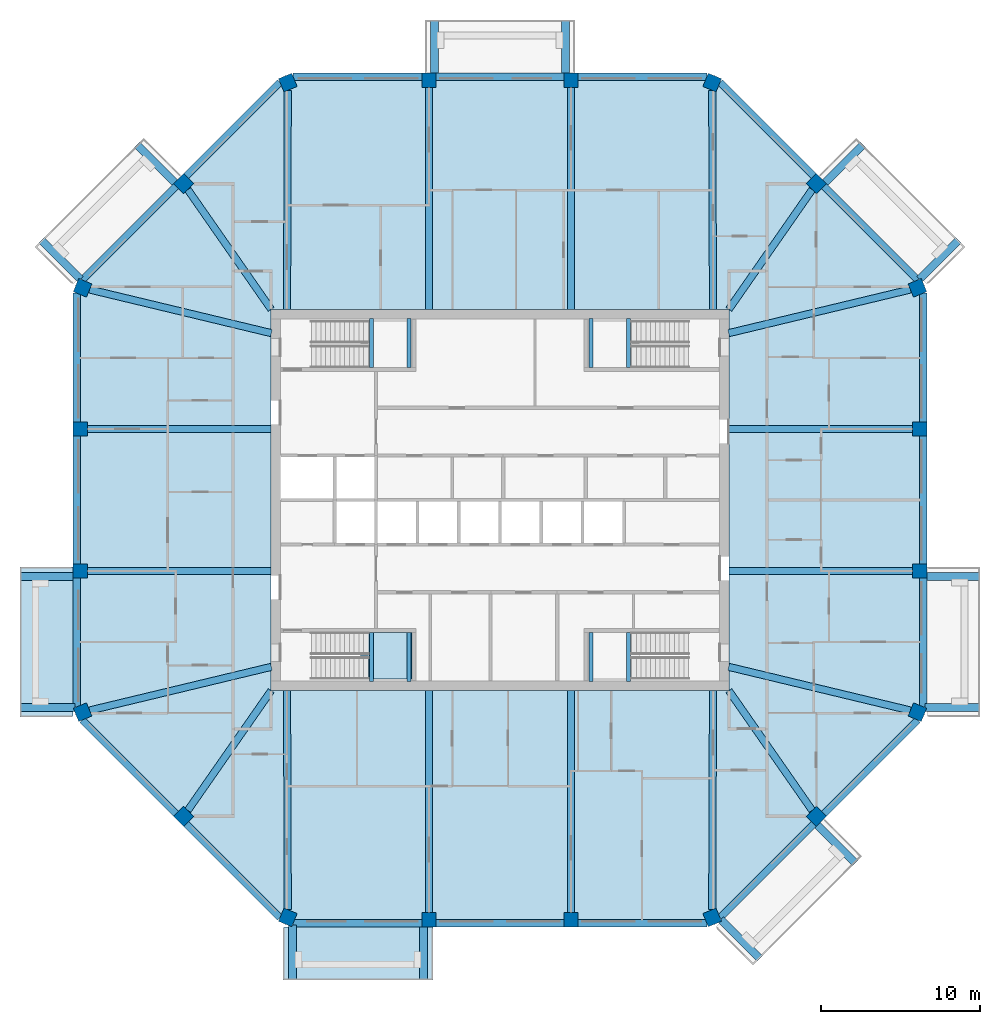
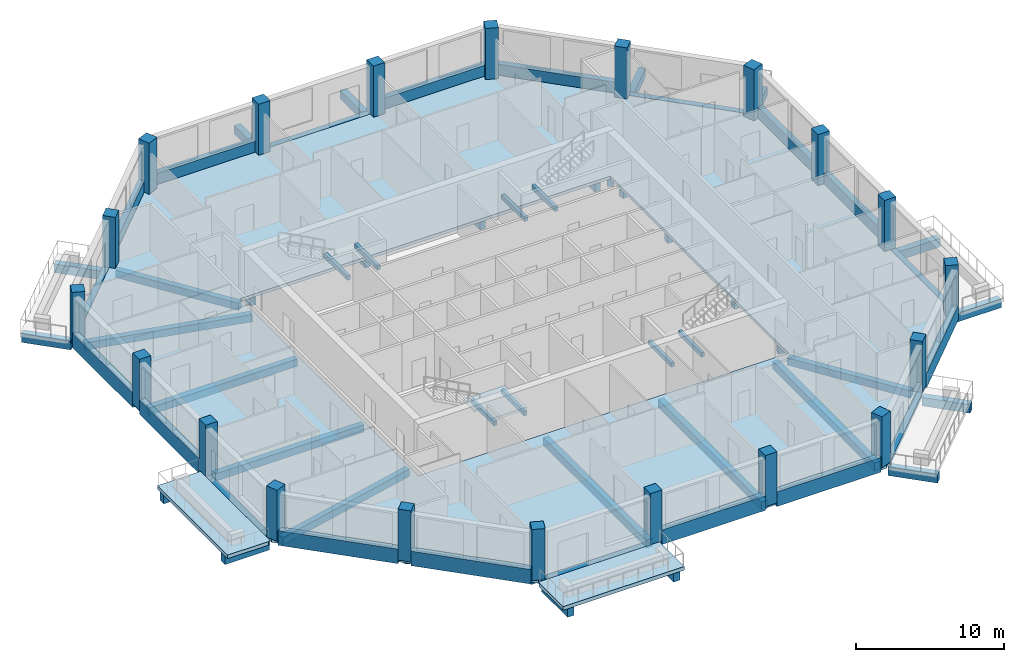
# One storey, part 1 of 11: 62 beams, 20 columns, 4 slabs, 1 element without a shape of its own.
"""IFC4 building model written with IfcOpenShell, lengths in metres."""

from ifc_helpers import new_model, si_unit, direction, frame, origin, origin_2d, place, context, subcontext, project, spatial, polyline, rectangle, outline, extrude, material, layer, layer_set, material_profile, profile_set, type_object, element, aggregate, save


model = new_model("IFC4")

# Units and contexts
model_context = context("Model", 3, precision=1e-05, world=origin(), true_north=direction((0.0, 1.0)))
body_context = subcontext(model_context, "Body", "Model", "MODEL_VIEW")
ifc_project = project(units=[si_unit("LENGTHUNIT", "METRE"), si_unit("AREAUNIT", "SQUARE_METRE"), si_unit("VOLUMEUNIT", "CUBIC_METRE"), si_unit("PLANEANGLEUNIT", "RADIAN"), si_unit("MASSUNIT", "GRAM", prefix="KILO")], contexts=[model_context])

# Site, building, storey
site_placement = place(None, origin())
site = spatial("IfcSite", under=ifc_project, at=site_placement, CompositionType="ELEMENT")
building_placement = place(site_placement, origin())
building = spatial("IfcBuilding", under=site, at=building_placement, Name="Msitu Wima Residences", CompositionType="ELEMENT")
storey_placement = place(building_placement, frame((0.0, 0.0, 264.300048828125)))
storey = spatial("IfcBuildingStorey", under=building, at=storey_placement, Name="L61", CompositionType="ELEMENT", Elevation=264.300048828125)

# Columns
ifc_material_1 = material(Name="Concrete C50/60", Category="concrete")
ifc_material_profile_1 = material_profile(ifc_material_1, rectangle(XDim=0.89990234375, YDim=0.89990234375, at=origin_2d()), Name="RC 900x900")
ifc_profile_set_1 = profile_set([ifc_material_profile_1], Name="Concrete C50/60")
column_type = type_object("IfcColumnType", Name="Column RC 900x900 Concrete C50/60", PredefinedType="COLUMN", material=ifc_profile_set_1)
for number, where, z_axis, x_axis, name in (
    (1, (26.261962890625, -13.3486328125, 0.0), (0.0, 0.0, 1.0), (0.382683496864, 0.923879505795, 0.0), "Column L61 C-E0"),
    (2, (26.39990234375, -4.46875, 0.0), (0.0, 0.0, 1.0), (0.0, 1.0, 0.0), "Column L61 C-E1"),
    (3, (26.39990234375, 4.46875, 0.0), (0.0, 0.0, 1.0), (0.0, 1.0, 0.0), "Column L61 C-E2"),
    (4, (26.261962890625, 13.3486328125, 0.0), (0.0, 0.0, 1.0), (-0.382683496864, 0.923879505795, 0.0), "Column L61 C-NE0"),
    (5, (19.90283203125, 19.90283203125, 0.0), (0.0, 0.0, 1.0), (-0.707106781187, 0.707106781187, 0.0), "Column L61 C-NE1"),
    (6, (13.3486328125, 26.261962890625, 0.0), (0.0, 0.0, 1.0), (-0.923879505795, 0.382683496864, 0.0), "Column L61 C-N0"),
    (7, (4.46875, 26.39990234375, 0.0), (0.0, 0.0, 1.0), (-1.0, 0.0, 0.0), "Column L61 C-N1"),
    (8, (-4.46875, 26.39990234375, 0.0), (0.0, 0.0, 1.0), (-1.0, 0.0, 0.0), "Column L61 C-N2"),
    (9, (-13.3486328125, 26.261962890625, 0.0), (0.0, 0.0, 1.0), (-0.923879505795, -0.382683496864, 0.0), "Column L61 C-NW0"),
    (10, (-19.90283203125, 19.90283203125, 0.0), (0.0, 0.0, 1.0), (-0.707106781187, -0.707106781187, 0.0), "Column L61 C-NW1"),
    (11, (-26.261962890625, 13.3486328125, 0.0), (0.0, 0.0, 1.0), (-0.382683496864, -0.923879505795, 0.0), "Column L61 C-W0"),
    (12, (-26.39990234375, 4.46875, 0.0), (0.0, 0.0, 1.0), (0.0, -1.0, 0.0), "Column L61 C-W1"),
    (13, (-26.39990234375, -4.46875, 0.0), (0.0, 0.0, 1.0), (0.0, -1.0, 0.0), "Column L61 C-W2"),
    (14, (-26.261962890625, -13.3486328125, 0.0), (0.0, 0.0, 1.0), (0.382683496864, -0.923879505795, 0.0), "Column L61 C-SW0"),
    (15, (-19.90283203125, -19.90283203125, 0.0), (0.0, 0.0, 1.0), (0.707106781187, -0.707106781187, 0.0), "Column L61 C-SW1"),
    (16, (-13.3486328125, -26.261962890625, 0.0), (0.0, 0.0, 1.0), (0.923879505795, -0.382683496864, 0.0), "Column L61 C-S0"),
    (17, (-4.46875, -26.39990234375, 0.0), (0.0, 0.0, 1.0), (1.0, 0.0, 0.0), "Column L61 C-S1"),
    (18, (4.46875, -26.39990234375, 0.0), (0.0, 0.0, 1.0), (1.0, 0.0, 0.0), "Column L61 C-S2"),
    (19, (13.3486328125, -26.261962890625, 0.0), (0.0, 0.0, 1.0), (0.923879505795, 0.382683496864, 0.0), "Column L61 C-SE0"),
    (20, (19.90283203125, -19.90283203125, 0.0), (0.0, 0.0, 1.0), (0.707106781187, 0.707106781187, 0.0), "Column L61 C-SE1"),
):
    element("IfcColumn", number, at=place(storey_placement, frame(where, z_axis=z_axis, x_axis=x_axis)), inside=storey, type_object=column_type, Name=name, PredefinedType="COLUMN", context=body_context, shape_type="SweptSolid", body=[
        extrude(rectangle(XDim=0.89990234375, YDim=0.89990234375, at=origin_2d()), origin(), (0.0, 0.0, 1.0), 4.199951171875),
    ])

# Beams
ifc_material_profile_2 = material_profile(ifc_material_1, rectangle(XDim=0.449951171875, YDim=0.60009765625, at=origin_2d()), Name="RC 450x600")
ifc_profile_set_2 = profile_set([ifc_material_profile_2], Name="Concrete C50/60")
beam_type_1 = type_object("IfcBeamType", Name="Beam RC 450x600 Concrete C50/60", PredefinedType="BEAM", material=ifc_profile_set_2)
beam_1_placement = place(storey_placement, frame((25.819091796875, -13.242431640625, -0.550048828125), z_axis=(-0.972353359268, 0.233514335148, 0.0), x_axis=(-0.233514335148, -0.972353359268, 0.0)))
element("IfcBeam", 21, at=beam_1_placement, inside=storey, type_object=beam_type_1, Name="Beam L61 C-E0", PredefinedType="BEAM", context=body_context, shape_type="SweptSolid", body=[
    extrude(rectangle(XDim=0.449951171875, YDim=0.60009765625, at=origin_2d()), origin(), (0.0, 0.0, 1.0), 11.755615234375),
])
for number, where, z_axis, x_axis, name in (
    (22, (25.949951171875, -4.46875, -0.550048828125), (-1.0, 0.0, 0.0), (0.0, -1.0, 0.0), "Beam L61 C-E1"),
    (23, (25.949951171875, 4.46875, -0.550048828125), (-1.0, 0.0, 0.0), (0.0, -1.0, 0.0), "Beam L61 C-E2"),
):
    element("IfcBeam", number, at=place(storey_placement, frame(where, z_axis=z_axis, x_axis=x_axis)), inside=storey, type_object=beam_type_1, Name=name, PredefinedType="BEAM", context=body_context, shape_type="SweptSolid", body=[
        extrude(rectangle(XDim=0.449951171875, YDim=0.60009765625, at=origin_2d()), origin(), (0.0, 0.0, 1.0), 11.550048828125),
    ])
beam_2_placement = place(storey_placement, frame((25.819091796875, 13.242431640625, -0.550048828125), z_axis=(-0.972353359268, -0.233514335148, 0.0), x_axis=(0.233514335148, -0.972353359268, 0.0)))
element("IfcBeam", 24, at=beam_2_placement, inside=storey, type_object=beam_type_1, Name="Beam L61 C-NE0", PredefinedType="BEAM", context=body_context, shape_type="SweptSolid", body=[
    extrude(rectangle(XDim=0.449951171875, YDim=0.60009765625, at=origin_2d()), origin(), (0.0, 0.0, 1.0), 11.755615234375),
])
for number, where, z_axis, x_axis, name in (
    (25, (19.6416015625, 19.52783203125, -0.550048828125), (-0.571427822633, -0.820652328042, 0.0), (0.820652328042, -0.571427822633, 0.0), "Beam L61 C-NE1"),
    (26, (-19.6416015625, 19.52783203125, -0.550048828125), (0.571427822633, -0.820652328042, 0.0), (0.820652328042, 0.571427822633, 0.0), "Beam L61 C-NW1"),
):
    element("IfcBeam", number, at=place(storey_placement, frame(where, z_axis=z_axis, x_axis=x_axis)), inside=storey, type_object=beam_type_1, Name=name, PredefinedType="BEAM", context=body_context, shape_type="SweptSolid", body=[
        extrude(rectangle(XDim=0.449951171875, YDim=0.60009765625, at=origin_2d()), origin(), (0.0, 0.0, 1.0), 9.173095703125),
    ])
beam_3_placement = place(storey_placement, frame((-25.819091796875, 13.242431640625, -0.550048828125), z_axis=(0.972353359268, -0.233514335148, 0.0), x_axis=(0.233514335148, 0.972353359268, 0.0)))
element("IfcBeam", 27, at=beam_3_placement, inside=storey, type_object=beam_type_1, Name="Beam L61 C-W0", PredefinedType="BEAM", context=body_context, shape_type="SweptSolid", body=[
    extrude(rectangle(XDim=0.449951171875, YDim=0.60009765625, at=origin_2d()), origin(), (0.0, 0.0, 1.0), 11.755615234375),
])
for number, where, z_axis, x_axis, name in (
    (28, (-25.949951171875, 4.46875, -0.550048828125), (1.0, 0.0, 0.0), (0.0, 1.0, 0.0), "Beam L61 C-W1"),
    (29, (-25.949951171875, -4.46875, -0.550048828125), (1.0, 0.0, 0.0), (0.0, 1.0, 0.0), "Beam L61 C-W2"),
):
    element("IfcBeam", number, at=place(storey_placement, frame(where, z_axis=z_axis, x_axis=x_axis)), inside=storey, type_object=beam_type_1, Name=name, PredefinedType="BEAM", context=body_context, shape_type="SweptSolid", body=[
        extrude(rectangle(XDim=0.449951171875, YDim=0.60009765625, at=origin_2d()), origin(), (0.0, 0.0, 1.0), 11.550048828125),
    ])
beam_4_placement = place(storey_placement, frame((-25.819091796875, -13.242431640625, -0.550048828125), z_axis=(0.972353359268, 0.233514335148, 0.0), x_axis=(-0.233514335148, 0.972353359268, 0.0)))
element("IfcBeam", 30, at=beam_4_placement, inside=storey, type_object=beam_type_1, Name="Beam L61 C-SW0", PredefinedType="BEAM", context=body_context, shape_type="SweptSolid", body=[
    extrude(rectangle(XDim=0.449951171875, YDim=0.60009765625, at=origin_2d()), origin(), (0.0, 0.0, 1.0), 11.755615234375),
])
for number, where, z_axis, x_axis, name in (
    (31, (-19.6416015625, -19.52783203125, -0.550048828125), (0.571427822633, 0.820652328042, 0.0), (-0.820652328042, 0.571427822633, 0.0), "Beam L61 C-SW1"),
    (32, (19.6416015625, -19.52783203125, -0.550048828125), (-0.571427822633, 0.820652328042, 0.0), (-0.820652328042, -0.571427822633, 0.0), "Beam L61 C-SE1"),
):
    element("IfcBeam", number, at=place(storey_placement, frame(where, z_axis=z_axis, x_axis=x_axis)), inside=storey, type_object=beam_type_1, Name=name, PredefinedType="BEAM", context=body_context, shape_type="SweptSolid", body=[
        extrude(rectangle(XDim=0.449951171875, YDim=0.60009765625, at=origin_2d()), origin(), (0.0, 0.0, 1.0), 9.173095703125),
    ])
ifc_material_profile_3 = material_profile(ifc_material_1, rectangle(XDim=0.449951171875, YDim=0.64990234375, at=origin_2d()), Name="RC 450x650")
ifc_profile_set_3 = profile_set([ifc_material_profile_3], Name="Concrete C50/60")
beam_type_2 = type_object("IfcBeamType", Name="Beam RC 450x650 Concrete C50/60", PredefinedType="BEAM", material=ifc_profile_set_3)
beam_5_placement = place(storey_placement, frame((13.3505859375, 25.774169921875, -0.574951171875), z_axis=(0.003594933206, -0.999993538207, 0.0), x_axis=(0.999993538207, 0.003594933206, 0.0)))
element("IfcBeam", 33, at=beam_5_placement, inside=storey, type_object=beam_type_2, Name="Beam L61 C-N0", PredefinedType="BEAM", context=body_context, shape_type="SweptSolid", body=[
    extrude(rectangle(XDim=0.449951171875, YDim=0.64990234375, at=origin_2d()), origin(), (0.0, 0.0, 1.0), 13.7861328125),
])
for number, where, z_axis, x_axis, name in (
    (34, (4.46875, 25.949951171875, -0.574951171875), (0.0, -1.0, 0.0), (1.0, 0.0, 0.0), "Beam L61 C-N1"),
    (35, (-4.46875, 25.949951171875, -0.574951171875), (0.0, -1.0, 0.0), (1.0, 0.0, 0.0), "Beam L61 C-N2"),
):
    element("IfcBeam", number, at=place(storey_placement, frame(where, z_axis=z_axis, x_axis=x_axis)), inside=storey, type_object=beam_type_2, Name=name, PredefinedType="BEAM", context=body_context, shape_type="SweptSolid", body=[
        extrude(rectangle(XDim=0.449951171875, YDim=0.64990234375, at=origin_2d()), origin(), (0.0, 0.0, 1.0), 13.949951171875),
    ])
for number, where, z_axis, x_axis, name in (
    (36, (-13.3505859375, 25.774169921875, -0.574951171875), (-0.003594933206, -0.999993538207, 0.0), (0.999993538207, -0.003594933206, 0.0), "Beam L61 C-NW0"),
    (37, (-13.3505859375, -25.774169921875, -0.574951171875), (-0.003594933206, 0.999993538207, 0.0), (-0.999993538207, -0.003594933206, 0.0), "Beam L61 C-S0"),
):
    element("IfcBeam", number, at=place(storey_placement, frame(where, z_axis=z_axis, x_axis=x_axis)), inside=storey, type_object=beam_type_2, Name=name, PredefinedType="BEAM", context=body_context, shape_type="SweptSolid", body=[
        extrude(rectangle(XDim=0.449951171875, YDim=0.64990234375, at=origin_2d()), origin(), (0.0, 0.0, 1.0), 13.7861328125),
    ])
for number, where, z_axis, x_axis, name in (
    (38, (-4.46875, -25.949951171875, -0.574951171875), (0.0, 1.0, 0.0), (-1.0, 0.0, 0.0), "Beam L61 C-S1"),
    (39, (4.46875, -25.949951171875, -0.574951171875), (0.0, 1.0, 0.0), (-1.0, 0.0, 0.0), "Beam L61 C-S2"),
):
    element("IfcBeam", number, at=place(storey_placement, frame(where, z_axis=z_axis, x_axis=x_axis)), inside=storey, type_object=beam_type_2, Name=name, PredefinedType="BEAM", context=body_context, shape_type="SweptSolid", body=[
        extrude(rectangle(XDim=0.449951171875, YDim=0.64990234375, at=origin_2d()), origin(), (0.0, 0.0, 1.0), 13.949951171875),
    ])
beam_6_placement = place(storey_placement, frame((13.3505859375, -25.774169921875, -0.574951171875), z_axis=(0.003594933206, 0.999993538207, 0.0), x_axis=(-0.999993538207, 0.003594933206, 0.0)))
element("IfcBeam", 40, at=beam_6_placement, inside=storey, type_object=beam_type_2, Name="Beam L61 C-SE0", PredefinedType="BEAM", context=body_context, shape_type="SweptSolid", body=[
    extrude(rectangle(XDim=0.449951171875, YDim=0.64990234375, at=origin_2d()), origin(), (0.0, 0.0, 1.0), 13.7861328125),
])
ifc_material_profile_4 = material_profile(ifc_material_1, rectangle(XDim=0.5, YDim=0.699951171875, at=origin_2d()), Name="RC 500x700")
ifc_profile_set_4 = profile_set([ifc_material_profile_4], Name="Concrete C50/60")
beam_type_3 = type_object("IfcBeamType", Name="Cantilever beam RC 500x700 Concrete C50/60", PredefinedType="BEAM", material=ifc_profile_set_4)
beam_7_placement = place(storey_placement, frame((26.73095703125, -13.055908203125, -0.650146484375), z_axis=(1.0, 0.0, 0.0), x_axis=(0.0, 1.0, 0.0)))
element("IfcBeam", 41, at=beam_7_placement, inside=storey, type_object=beam_type_3, Name="Cantilever beam L61 BA-E0 A", PredefinedType="BEAM", context=body_context, shape_type="SweptSolid", body=[
    extrude(rectangle(XDim=0.5, YDim=0.699951171875, at=origin_2d()), origin(), (0.0, 0.0, 1.0), 3.468994140625),
])
beam_8_placement = place(storey_placement, frame((26.85009765625, -4.818603515625, -0.650146484375), z_axis=(1.0, 0.0, 0.0), x_axis=(0.0, 1.0, 0.0)))
element("IfcBeam", 42, at=beam_8_placement, inside=storey, type_object=beam_type_3, Name="Cantilever beam L61 BA-E0 B", PredefinedType="BEAM", context=body_context, shape_type="SweptSolid", body=[
    extrude(rectangle(XDim=0.5, YDim=0.699951171875, at=origin_2d()), origin(), (0.0, 0.0, 1.0), 3.349853515625),
])
beam_9_placement = place(storey_placement, frame((26.386474609375, 13.887451171875, -0.650146484375), z_axis=(0.707141968506, 0.707071592116, 0.0), x_axis=(-0.707071592116, 0.707141968506, 0.0)))
element("IfcBeam", 43, at=beam_9_placement, inside=storey, type_object=beam_type_3, Name="Cantilever beam L61 BA-NE0 A", PredefinedType="BEAM", context=body_context, shape_type="SweptSolid", body=[
    extrude(rectangle(XDim=0.5, YDim=0.699951171875, at=origin_2d()), origin(), (0.0, 0.0, 1.0), 3.468994140625),
])
for number, where, z_axis, x_axis, name in (
    (44, (20.46875, 19.9736328125, -0.650146484375), (0.707070340836, 0.707143219659, 0.0), (-0.707143219659, 0.707070340836, 0.0), "Cantilever beam L61 BA-NE0 B"),
    (45, (4.11865234375, 26.85009765625, -0.650146484375), (0.0, 1.0, 0.0), (-1.0, 0.0, 0.0), "Cantilever beam L61 BA-N1 A"),
    (46, (-4.11865234375, 26.85009765625, -0.650146484375), (0.0, 1.0, 0.0), (-1.0, 0.0, 0.0), "Cantilever beam L61 BA-N1 B"),
    (47, (-20.46875, 19.9736328125, -0.650146484375), (-0.707070340836, 0.707143219659, 0.0), (-0.707143219659, -0.707070340836, 0.0), "Cantilever beam L61 BA-NW1 A"),
):
    element("IfcBeam", number, at=place(storey_placement, frame(where, z_axis=z_axis, x_axis=x_axis)), inside=storey, type_object=beam_type_3, Name=name, PredefinedType="BEAM", context=body_context, shape_type="SweptSolid", body=[
        extrude(rectangle(XDim=0.5, YDim=0.699951171875, at=origin_2d()), origin(), (0.0, 0.0, 1.0), 3.349853515625),
    ])
beam_10_placement = place(storey_placement, frame((-26.386474609375, 13.887451171875, -0.650146484375), z_axis=(-0.707141968506, 0.707071592116, 0.0), x_axis=(-0.707071592116, -0.707141968506, 0.0)))
element("IfcBeam", 48, at=beam_10_placement, inside=storey, type_object=beam_type_3, Name="Cantilever beam L61 BA-NW1 B", PredefinedType="BEAM", context=body_context, shape_type="SweptSolid", body=[
    extrude(rectangle(XDim=0.5, YDim=0.699951171875, at=origin_2d()), origin(), (0.0, 0.0, 1.0), 3.468994140625),
])
beam_11_placement = place(storey_placement, frame((-26.85009765625, -4.818603515625, -0.650146484375), z_axis=(-1.0, 0.0, 0.0), x_axis=(0.0, -1.0, 0.0)))
element("IfcBeam", 49, at=beam_11_placement, inside=storey, type_object=beam_type_3, Name="Cantilever beam L61 BA-W2 A", PredefinedType="BEAM", context=body_context, shape_type="SweptSolid", body=[
    extrude(rectangle(XDim=0.5, YDim=0.699951171875, at=origin_2d()), origin(), (0.0, 0.0, 1.0), 3.349853515625),
])
for number, where, z_axis, x_axis, name in (
    (50, (-26.73095703125, -13.055908203125, -0.650146484375), (-1.0, 0.0, 0.0), (0.0, -1.0, 0.0), "Cantilever beam L61 BA-W2 B"),
    (51, (-13.055908203125, -26.73095703125, -0.650146484375), (0.0, -1.0, 0.0), (1.0, 0.0, 0.0), "Cantilever beam L61 BA-S0 A"),
):
    element("IfcBeam", number, at=place(storey_placement, frame(where, z_axis=z_axis, x_axis=x_axis)), inside=storey, type_object=beam_type_3, Name=name, PredefinedType="BEAM", context=body_context, shape_type="SweptSolid", body=[
        extrude(rectangle(XDim=0.5, YDim=0.699951171875, at=origin_2d()), origin(), (0.0, 0.0, 1.0), 3.468994140625),
    ])
beam_12_placement = place(storey_placement, frame((-4.818603515625, -26.85009765625, -0.650146484375), z_axis=(0.0, -1.0, 0.0), x_axis=(1.0, 0.0, 0.0)))
element("IfcBeam", 52, at=beam_12_placement, inside=storey, type_object=beam_type_3, Name="Cantilever beam L61 BA-S0 B", PredefinedType="BEAM", context=body_context, shape_type="SweptSolid", body=[
    extrude(rectangle(XDim=0.5, YDim=0.699951171875, at=origin_2d()), origin(), (0.0, 0.0, 1.0), 3.349853515625),
])
beam_13_placement = place(storey_placement, frame((13.887451171875, -26.386474609375, -0.650146484375), z_axis=(0.707071592116, -0.707141968506, 0.0), x_axis=(0.707141968506, 0.707071592116, 0.0)))
element("IfcBeam", 53, at=beam_13_placement, inside=storey, type_object=beam_type_3, Name="Cantilever beam L61 BA-SE0 A", PredefinedType="BEAM", context=body_context, shape_type="SweptSolid", body=[
    extrude(rectangle(XDim=0.5, YDim=0.699951171875, at=origin_2d()), origin(), (0.0, 0.0, 1.0), 3.468994140625),
])
beam_14_placement = place(storey_placement, frame((19.9736328125, -20.46875, -0.650146484375), z_axis=(0.707143219659, -0.707070340836, 0.0), x_axis=(0.707070340836, 0.707143219659, 0.0)))
element("IfcBeam", 54, at=beam_14_placement, inside=storey, type_object=beam_type_3, Name="Cantilever beam L61 BA-SE0 B", PredefinedType="BEAM", context=body_context, shape_type="SweptSolid", body=[
    extrude(rectangle(XDim=0.5, YDim=0.699951171875, at=origin_2d()), origin(), (0.0, 0.0, 1.0), 3.349853515625),
])
ifc_material_profile_5 = material_profile(ifc_material_1, rectangle(XDim=0.449951171875, YDim=0.300048828125, at=origin_2d()), Name="RC 450x300")
ifc_profile_set_5 = profile_set([ifc_material_profile_5], Name="Concrete C50/60")
beam_type_4 = type_object("IfcBeamType", Name="Edge beam RC 450x300 Concrete C50/60", PredefinedType="SPANDREL", material=ifc_profile_set_5)
beam_15_placement = place(storey_placement, frame((26.625, -13.02392578125, -0.150146484375), z_axis=(0.0, 1.0, 0.0), x_axis=(-1.0, 0.0, 0.0)))
element("IfcBeam", 55, at=beam_15_placement, inside=storey, type_object=beam_type_4, Name="Spandrel L61 E0", PredefinedType="SPANDREL", context=body_context, shape_type="SweptSolid", body=[
    extrude(rectangle(XDim=0.449951171875, YDim=0.300048828125, at=origin_2d()), origin(), (0.0, 0.0, 1.0), 8.105224609375),
])
beam_16_placement = place(storey_placement, frame((26.2890625, 13.8349609375, -0.150146484375), z_axis=(-0.707106781187, 0.707106781187, 0.0), x_axis=(-0.707106781187, -0.707106781187, 0.0)))
element("IfcBeam", 56, at=beam_16_placement, inside=storey, type_object=beam_type_4, Name="Spandrel L61 NE0", PredefinedType="SPANDREL", context=body_context, shape_type="SweptSolid", body=[
    extrude(rectangle(XDim=0.449951171875, YDim=0.300048828125, at=origin_2d()), origin(), (0.0, 0.0, 1.0), 8.3564453125),
])
beam_17_placement = place(storey_placement, frame((4.0185546875, 26.625, -0.150146484375), z_axis=(-1.0, 0.0, 0.0), x_axis=(0.0, -1.0, 0.0)))
element("IfcBeam", 57, at=beam_17_placement, inside=storey, type_object=beam_type_4, Name="Spandrel L61 N1", PredefinedType="SPANDREL", context=body_context, shape_type="SweptSolid", body=[
    extrude(rectangle(XDim=0.449951171875, YDim=0.300048828125, at=origin_2d()), origin(), (0.0, 0.0, 1.0), 8.037109375),
])
beam_18_placement = place(storey_placement, frame((-20.380126953125, 19.743896484375, -0.150146484375), z_axis=(-0.707106781187, -0.707106781187, 0.0), x_axis=(0.707106781187, -0.707106781187, 0.0)))
element("IfcBeam", 58, at=beam_18_placement, inside=storey, type_object=beam_type_4, Name="Spandrel L61 NW1", PredefinedType="SPANDREL", context=body_context, shape_type="SweptSolid", body=[
    extrude(rectangle(XDim=0.449951171875, YDim=0.300048828125, at=origin_2d()), origin(), (0.0, 0.0, 1.0), 8.3564453125),
])
for number, where, z_axis, x_axis, name in (
    (59, (-26.625, -4.918701171875, -0.150146484375), (0.0, -1.0, 0.0), (1.0, 0.0, 0.0), "Spandrel L61 W2"),
    (60, (-13.02392578125, -26.625, -0.150146484375), (1.0, 0.0, 0.0), (0.0, 1.0, 0.0), "Spandrel L61 S0"),
):
    element("IfcBeam", number, at=place(storey_placement, frame(where, z_axis=z_axis, x_axis=x_axis)), inside=storey, type_object=beam_type_4, Name=name, PredefinedType="SPANDREL", context=body_context, shape_type="SweptSolid", body=[
        extrude(rectangle(XDim=0.449951171875, YDim=0.300048828125, at=origin_2d()), origin(), (0.0, 0.0, 1.0), 8.105224609375),
    ])
beam_19_placement = place(storey_placement, frame((13.8349609375, -26.2890625, -0.150146484375), z_axis=(0.707106781187, 0.707106781187, 0.0), x_axis=(-0.707106781187, 0.707106781187, 0.0)))
element("IfcBeam", 61, at=beam_19_placement, inside=storey, type_object=beam_type_4, Name="Spandrel L61 SE0", PredefinedType="SPANDREL", context=body_context, shape_type="SweptSolid", body=[
    extrude(rectangle(XDim=0.449951171875, YDim=0.300048828125, at=origin_2d()), origin(), (0.0, 0.0, 1.0), 8.3564453125),
])
ifc_material_2 = material(Name="Concrete C40/50", Category="concrete")
ifc_material_profile_6 = material_profile(ifc_material_2, rectangle(XDim=0.25, YDim=0.35009765625, at=origin_2d()), Name="RC 250x350")
ifc_profile_set_6 = profile_set([ifc_material_profile_6], Name="Concrete C40/50")
beam_type_5 = type_object("IfcBeamType", Name="Landing beam RC 250x350", PredefinedType="BEAM", material=ifc_profile_set_6)
for number, where, z_axis, x_axis, name in (
    (62, (-8.074951171875, 8.324951171875, 1.724853515625), (0.0, 1.0, 0.0), (-1.0, 0.0, 0.0), "Stair 1 landing beam"),
    (63, (-5.72509765625, 8.324951171875, 1.724853515625), (0.0, 1.0, 0.0), (-1.0, 0.0, 0.0), "Stair 1 landing beam"),
    (64, (-8.074951171875, -11.425048828125, 1.724853515625), (0.0, 1.0, 0.0), (-1.0, 0.0, 0.0), "Stair 2 landing beam"),
    (65, (-5.72509765625, -11.425048828125, 1.724853515625), (0.0, 1.0, 0.0), (-1.0, 0.0, 0.0), "Stair 2 landing beam"),
    (66, (8.074951171875, 8.324951171875, 1.724853515625), (0.0, 1.0, 0.0), (-1.0, 0.0, 0.0), "Stair 3 landing beam"),
    (67, (5.72509765625, 8.324951171875, 1.724853515625), (0.0, 1.0, 0.0), (-1.0, 0.0, 0.0), "Stair 3 landing beam"),
    (68, (8.074951171875, -11.425048828125, 1.724853515625), (0.0, 1.0, 0.0), (-1.0, 0.0, 0.0), "Stair 4 landing beam"),
    (69, (5.72509765625, -11.425048828125, 1.724853515625), (0.0, 1.0, 0.0), (-1.0, 0.0, 0.0), "Stair 4 landing beam"),
):
    element("IfcBeam", number, at=place(storey_placement, frame(where, z_axis=z_axis, x_axis=x_axis)), inside=storey, type_object=beam_type_5, Name=name, PredefinedType="BEAM", context=body_context, shape_type="SweptSolid", body=[
        extrude(rectangle(XDim=0.25, YDim=0.35009765625, at=origin_2d()), origin(), (0.0, 0.0, 1.0), 3.10009765625),
    ])
ifc_material_profile_7 = material_profile(ifc_material_1, rectangle(XDim=0.449951171875, YDim=1.199951171875, at=origin_2d()), Name="RC 450x1200")
ifc_profile_set_7 = profile_set([ifc_material_profile_7], Name="Concrete C50/60")
beam_type_6 = type_object("IfcBeamType", Name="Spandrel RC 450x1200 Concrete C50/60", PredefinedType="SPANDREL", material=ifc_profile_set_7)
beam_20_placement = place(storey_placement, frame((26.625, -4.0185546875, 0.300048828125), z_axis=(0.0, 1.0, 0.0), x_axis=(-1.0, 0.0, 0.0)))
element("IfcBeam", 70, at=beam_20_placement, inside=storey, type_object=beam_type_6, Name="Spandrel L61 E1", PredefinedType="SPANDREL", context=body_context, shape_type="SweptSolid", body=[
    extrude(rectangle(XDim=0.449951171875, YDim=1.199951171875, at=origin_2d()), origin(), (0.0, 0.0, 1.0), 8.037109375),
])
beam_21_placement = place(storey_placement, frame((26.625, 4.918701171875, 0.300048828125), z_axis=(0.0, 1.0, 0.0), x_axis=(-1.0, 0.0, 0.0)))
element("IfcBeam", 71, at=beam_21_placement, inside=storey, type_object=beam_type_6, Name="Spandrel L61 E2", PredefinedType="SPANDREL", context=body_context, shape_type="SweptSolid", body=[
    extrude(rectangle(XDim=0.449951171875, YDim=1.199951171875, at=origin_2d()), origin(), (0.0, 0.0, 1.0), 8.105224609375),
])
beam_22_placement = place(storey_placement, frame((19.743896484375, 20.380126953125, 0.300048828125), z_axis=(-0.707106781187, 0.707106781187, 0.0), x_axis=(-0.707106781187, -0.707106781187, 0.0)))
element("IfcBeam", 72, at=beam_22_placement, inside=storey, type_object=beam_type_6, Name="Spandrel L61 NE1", PredefinedType="SPANDREL", context=body_context, shape_type="SweptSolid", body=[
    extrude(rectangle(XDim=0.449951171875, YDim=1.199951171875, at=origin_2d()), origin(), (0.0, 0.0, 1.0), 8.3564453125),
])
for number, where, z_axis, x_axis, name in (
    (73, (13.02392578125, 26.625, 0.300048828125), (-1.0, 0.0, 0.0), (0.0, -1.0, 0.0), "Spandrel L61 N0"),
    (74, (-4.918701171875, 26.625, 0.300048828125), (-1.0, 0.0, 0.0), (0.0, -1.0, 0.0), "Spandrel L61 N2"),
):
    element("IfcBeam", number, at=place(storey_placement, frame(where, z_axis=z_axis, x_axis=x_axis)), inside=storey, type_object=beam_type_6, Name=name, PredefinedType="SPANDREL", context=body_context, shape_type="SweptSolid", body=[
        extrude(rectangle(XDim=0.449951171875, YDim=1.199951171875, at=origin_2d()), origin(), (0.0, 0.0, 1.0), 8.105224609375),
    ])
beam_23_placement = place(storey_placement, frame((-13.8349609375, 26.2890625, 0.300048828125), z_axis=(-0.707106781187, -0.707106781187, 0.0), x_axis=(0.707106781187, -0.707106781187, 0.0)))
element("IfcBeam", 75, at=beam_23_placement, inside=storey, type_object=beam_type_6, Name="Spandrel L61 NW0", PredefinedType="SPANDREL", context=body_context, shape_type="SweptSolid", body=[
    extrude(rectangle(XDim=0.449951171875, YDim=1.199951171875, at=origin_2d()), origin(), (0.0, 0.0, 1.0), 8.3564453125),
])
beam_24_placement = place(storey_placement, frame((-26.625, 13.02392578125, 0.300048828125), z_axis=(0.0, -1.0, 0.0), x_axis=(1.0, 0.0, 0.0)))
element("IfcBeam", 76, at=beam_24_placement, inside=storey, type_object=beam_type_6, Name="Spandrel L61 W0", PredefinedType="SPANDREL", context=body_context, shape_type="SweptSolid", body=[
    extrude(rectangle(XDim=0.449951171875, YDim=1.199951171875, at=origin_2d()), origin(), (0.0, 0.0, 1.0), 8.105224609375),
])
beam_25_placement = place(storey_placement, frame((-26.625, 4.0185546875, 0.300048828125), z_axis=(0.0, -1.0, 0.0), x_axis=(1.0, 0.0, 0.0)))
element("IfcBeam", 77, at=beam_25_placement, inside=storey, type_object=beam_type_6, Name="Spandrel L61 W1", PredefinedType="SPANDREL", context=body_context, shape_type="SweptSolid", body=[
    extrude(rectangle(XDim=0.449951171875, YDim=1.199951171875, at=origin_2d()), origin(), (0.0, 0.0, 1.0), 8.037109375),
])
for number, where, z_axis, x_axis, name in (
    (78, (-26.2890625, -13.8349609375, 0.300048828125), (0.707106781187, -0.707106781187, 0.0), (0.707106781187, 0.707106781187, 0.0), "Spandrel L61 SW0"),
    (79, (-19.743896484375, -20.380126953125, 0.300048828125), (0.707106781187, -0.707106781187, 0.0), (0.707106781187, 0.707106781187, 0.0), "Spandrel L61 SW1"),
):
    element("IfcBeam", number, at=place(storey_placement, frame(where, z_axis=z_axis, x_axis=x_axis)), inside=storey, type_object=beam_type_6, Name=name, PredefinedType="SPANDREL", context=body_context, shape_type="SweptSolid", body=[
        extrude(rectangle(XDim=0.449951171875, YDim=1.199951171875, at=origin_2d()), origin(), (0.0, 0.0, 1.0), 8.3564453125),
    ])
beam_26_placement = place(storey_placement, frame((-4.0185546875, -26.625, 0.300048828125), z_axis=(1.0, 0.0, 0.0), x_axis=(0.0, 1.0, 0.0)))
element("IfcBeam", 80, at=beam_26_placement, inside=storey, type_object=beam_type_6, Name="Spandrel L61 S1", PredefinedType="SPANDREL", context=body_context, shape_type="SweptSolid", body=[
    extrude(rectangle(XDim=0.449951171875, YDim=1.199951171875, at=origin_2d()), origin(), (0.0, 0.0, 1.0), 8.037109375),
])
beam_27_placement = place(storey_placement, frame((4.918701171875, -26.625, 0.300048828125), z_axis=(1.0, 0.0, 0.0), x_axis=(0.0, 1.0, 0.0)))
element("IfcBeam", 81, at=beam_27_placement, inside=storey, type_object=beam_type_6, Name="Spandrel L61 S2", PredefinedType="SPANDREL", context=body_context, shape_type="SweptSolid", body=[
    extrude(rectangle(XDim=0.449951171875, YDim=1.199951171875, at=origin_2d()), origin(), (0.0, 0.0, 1.0), 8.105224609375),
])
beam_28_placement = place(storey_placement, frame((20.380126953125, -19.743896484375, 0.300048828125), z_axis=(0.707106781187, 0.707106781187, 0.0), x_axis=(-0.707106781187, 0.707106781187, 0.0)))
element("IfcBeam", 82, at=beam_28_placement, inside=storey, type_object=beam_type_6, Name="Spandrel L61 SE1", PredefinedType="SPANDREL", context=body_context, shape_type="SweptSolid", body=[
    extrude(rectangle(XDim=0.449951171875, YDim=1.199951171875, at=origin_2d()), origin(), (0.0, 0.0, 1.0), 8.3564453125),
])

# Slabs
ifc_layer_1 = layer(ifc_material_2, 0.300048828125)
ifc_layer_set_1 = layer_set([ifc_layer_1], Name="Concrete C40/50")
slab_type_1 = type_object("IfcSlabType", Name="Balcony slab BS300", PredefinedType="FLOOR", material=ifc_layer_set_1)
slab_1_placement = place(storey_placement, frame((0.0, 0.0, -0.300048828125)))
element("IfcSlab", 83, at=slab_1_placement, inside=storey, type_object=slab_type_1, Name="Balcony W2 L61", PredefinedType="FLOOR", context=body_context, shape_type="SweptSolid", body=[
    extrude(outline(polyline([(-26.85009765625, -13.105224609375), (-26.85009765625, -13.105224609375), (-26.85009765625, -13.105224609375), (-26.85009765625, -13.59228515625), (-27.003662109375, -13.656005859375), (-30.199951171875, -13.656005859375), (-30.199951171875, -4.21875), (-26.85009765625, -4.21875), (-26.85009765625, -4.918701171875), (-26.85009765625, -13.105224609375)])), origin(), (0.0, 0.0, 1.0), 0.300048828125),
])
slab_2_placement = place(storey_placement, frame((0.0, 0.0, -0.300048828125)))
element("IfcSlab", 84, at=slab_2_placement, inside=storey, type_object=slab_type_1, Name="Balcony S0 L61", PredefinedType="FLOOR", context=body_context, shape_type="SweptSolid", body=[
    extrude(outline(polyline([(-13.105224609375, -26.85009765625), (-13.105224609375, -26.85009765625), (-4.918701171875, -26.85009765625), (-4.21875, -26.85009765625), (-4.21875, -30.199951171875), (-13.656005859375, -30.199951171875), (-13.656005859375, -27.003662109375), (-13.59228515625, -26.85009765625), (-13.105224609375, -26.85009765625), (-13.105224609375, -26.85009765625)])), origin(), (0.0, 0.0, 1.0), 0.300048828125),
])
ifc_layer_2 = layer(ifc_material_2, 0.25)
ifc_layer_set_2 = layer_set([ifc_layer_2], Name="Concrete C40/50")
slab_type_2 = type_object("IfcSlabType", Name="PT flat slab 250 Concrete C40/50", PredefinedType="FLOOR", material=ifc_layer_set_2)
slab_3_placement = place(storey_placement, frame((0.0, 0.0, -0.25)))
element("IfcSlab", 85, at=slab_3_placement, inside=storey, type_object=slab_type_2, Name="Floor slab L61", PredefinedType="FLOOR", context=body_context, shape_type="SweptSolid", body=[
    extrude(outline(polyline([(26.699951171875, -13.5302734375), (13.5302734375, -26.699951171875), (-13.5302734375, -26.699951171875), (-26.699951171875, -13.5302734375), (-26.699951171875, 13.5302734375), (-13.5302734375, 26.699951171875), (13.5302734375, 26.699951171875), (26.699951171875, 13.5302734375), (26.699951171875, -13.5302734375)]), holes=[polyline([(-14.39990234375, -12.0), (14.39990234375, -12.0), (14.39990234375, 12.0), (-14.39990234375, 12.0), (-14.39990234375, -12.0)])]), origin(), (0.0, 0.0, 1.0), 0.25),
])

# Stair, slab
stair_type = type_object("IfcStairType", Name="Exit stair ES1615-140", PredefinedType="HALF_TURN_STAIR", material=ifc_material_2)
stair_placement = place(storey_placement, origin())
stair = element("IfcStair", 86, at=stair_placement, inside=storey, type_object=stair_type, Name="Exit stair 2", PredefinedType="HALF_TURN_STAIR")
ifc_layer_3 = layer(ifc_material_2, 0.199951171875)
ifc_layer_set_3 = layer_set([ifc_layer_3], Name="Concrete C40/50")
slab_type_3 = type_object("IfcSlabType", Name="Stair landing SL200", PredefinedType="LANDING", material=ifc_layer_set_3)
slab_4_placement = place(storey_placement, frame((0.0, 0.0, 1.89990234375)))
slab_4 = element("IfcSlab", 87, at=slab_4_placement, type_object=slab_type_3, Name="S2 landing 1", PredefinedType="LANDING", context=body_context, shape_type="SweptSolid", body=[
    extrude(outline(polyline([(-5.52490234375, -11.27490234375), (-8.275390625, -11.27490234375), (-8.275390625, -9.800048828125), (-8.77490234375, -9.800048828125), (-8.77490234375, -8.324951171875), (-5.52490234375, -8.324951171875), (-5.52490234375, -11.27490234375)])), origin(), (0.0, 0.0, 1.0), 0.199951171875),
])
aggregate(stair, [slab_4])

save(model, "model.ifc")
